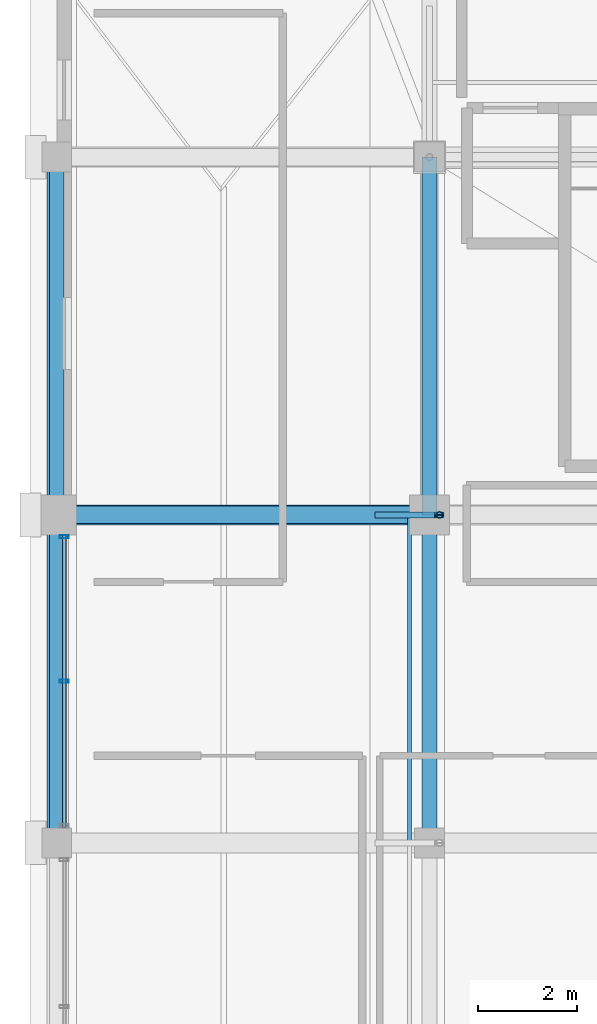
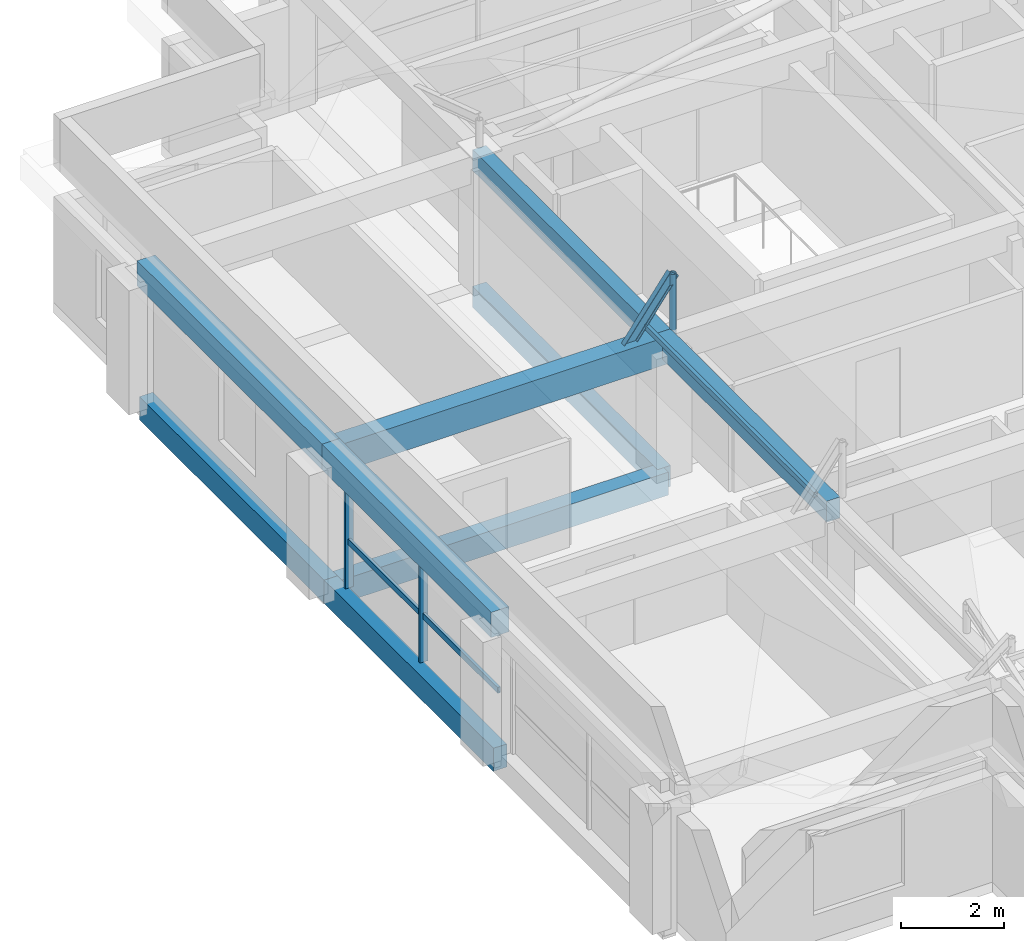
# One storey, part 9 of 39: 9 beams, 7 members, 1 element without a shape of its own.
"""IFC4 building model written with IfcOpenShell, lengths in metres."""

from ifc_helpers import new_model, si_unit, direction, frame, origin, origin_2d, place, context, subcontext, project, spatial, rectangle, hollow_rectangle, hollow_circle, i_section, extrude, material, material_profile, profile_set, type_object, element, aggregate, save


model = new_model("IFC4")

# Units and contexts
model_context = context("Model", 3, precision=1e-05, world=origin(), true_north=direction((0.0, 1.0)))
body_context = subcontext(model_context, "Body", "Model", "MODEL_VIEW")
ifc_project = project(units=[si_unit("LENGTHUNIT", "METRE"), si_unit("AREAUNIT", "SQUARE_METRE"), si_unit("VOLUMEUNIT", "CUBIC_METRE"), si_unit("PLANEANGLEUNIT", "RADIAN"), si_unit("MASSUNIT", "GRAM", prefix="KILO")], contexts=[model_context])

# Site, building, storey
site_placement = place(None, origin())
site = spatial("IfcSite", under=ifc_project, at=site_placement, CompositionType="ELEMENT")
building_placement = place(site_placement, origin())
building = spatial("IfcBuilding", under=site, at=building_placement, Name="Akrevak Sports Hall", CompositionType="ELEMENT")
storey_placement = place(building_placement, frame((0.0, 0.0, 66.550048828125)))
storey = spatial("IfcBuildingStorey", under=building, at=storey_placement, Name="L17", CompositionType="ELEMENT", Elevation=66.550048828125)

# Curtain wall, members
ifc_material_1 = material(Name="Anodized Bronze Aluminium & Low-E Glass", Category="aluminium")
curtain_wall_type = type_object("IfcCurtainWallType", Name="ARC-CW-TWR-68x30", PredefinedType="NOTDEFINED", material=ifc_material_1)
curtain_wall_placement = place(storey_placement, origin())
curtain_wall = element("IfcCurtainWall", 1, at=curtain_wall_placement, inside=storey, type_object=curtain_wall_type, Name="Curtain Wall CW-L17-W28", PredefinedType="NOTDEFINED")
ifc_material_2 = material(Name="Anodized Bronze Aluminium", Category="aluminium")
ifc_material_profile_1 = material_profile(ifc_material_2, hollow_rectangle(XDim=0.06494140625, YDim=0.179931640625, WallThickness=0.00390625, at=origin_2d()), Name="CWM 65x180", Category="aluminium")
ifc_profile_set_1 = profile_set([ifc_material_profile_1], Name="Anodized Bronze Aluminium")
member_type_1 = type_object("IfcMemberType", Name="ARC-CWM-65x140", PredefinedType="MULLION", material=ifc_profile_set_1)
member_1_placement = place(storey_placement, frame((52.64990234375, 54.760009765625, 0.0), z_axis=(0.0, 0.0, 1.0), x_axis=(0.0, -1.0, 0.0)))
member_1 = element("IfcMember", 2, at=member_1_placement, type_object=member_type_1, Name="Curtain Wall Mullion CW-L17-W28-M1", PredefinedType="MULLION", context=body_context, shape_type="SweptSolid", body=[
    extrude(hollow_rectangle(XDim=0.06494140625, YDim=0.179931640625, WallThickness=0.00390625, at=origin_2d()), origin(), (0.0, 0.0, 1.0), 2.530029296875),
])
member_2_placement = place(storey_placement, frame((52.64990234375, 51.85009765625, 0.0), z_axis=(0.0, 0.0, 1.0), x_axis=(0.0, -1.0, 0.0)))
member_2 = element("IfcMember", 3, at=member_2_placement, type_object=member_type_1, Name="Curtain Wall Mullion CW-L17-W28-M2", PredefinedType="MULLION", context=body_context, shape_type="SweptSolid", body=[
    extrude(hollow_rectangle(XDim=0.06494140625, YDim=0.179931640625, WallThickness=0.00390625, at=origin_2d()), origin(), (0.0, 0.0, 1.0), 2.530029296875),
])
ifc_material_profile_2 = material_profile(ifc_material_2, hollow_rectangle(XDim=0.06494140625, YDim=0.139892578125, WallThickness=0.00390625, at=origin_2d()), Name="CWT 65x140", Category="aluminium")
ifc_profile_set_2 = profile_set([ifc_material_profile_2], Name="Anodized Bronze Aluminium")
member_type_2 = type_object("IfcMemberType", Name="ARC-CWT-65x110", PredefinedType="USERDEFINED", material=ifc_profile_set_2)
member_3_placement = place(storey_placement, frame((52.64990234375, 54.800048828125, 1.099853515625), z_axis=(0.0, -1.0, 0.0), x_axis=(1.0, 0.0, 0.0)))
member_3 = element("IfcMember", 4, at=member_3_placement, type_object=member_type_2, Name="Curtain Wall Transom CW-L17-W28-T1", ObjectType="TRANSOM", PredefinedType="USERDEFINED", context=body_context, shape_type="SweptSolid", body=[
    extrude(hollow_rectangle(XDim=0.06494140625, YDim=0.139892578125, WallThickness=0.00390625, at=origin_2d()), origin(), (0.0, 0.0, 1.0), 5.900146484375),
])
member_4_placement = place(storey_placement, frame((52.64990234375, 54.800048828125, 2.449951171875), z_axis=(0.0, -1.0, 0.0), x_axis=(1.0, 0.0, 0.0)))
member_4 = element("IfcMember", 5, at=member_4_placement, type_object=member_type_2, Name="Curtain Wall Transom CW-L17-W28-T2", ObjectType="TRANSOM", PredefinedType="USERDEFINED", context=body_context, shape_type="SweptSolid", body=[
    extrude(hollow_rectangle(XDim=0.06494140625, YDim=0.139892578125, WallThickness=0.00390625, at=origin_2d()), origin(), (0.0, 0.0, 1.0), 5.900146484375),
])
aggregate(curtain_wall, [member_1, member_2, member_3, member_4])

# Beams
ifc_material_3 = material(Name="Concrete C40/50", Category="concrete")
ifc_material_profile_3 = material_profile(ifc_material_3, rectangle(XDim=0.300048828125, YDim=0.5, at=origin_2d()), Name="BM 300x500", Category="concrete")
ifc_profile_set_3 = profile_set([ifc_material_profile_3], Name="Concrete C40/50")
beam_type_1 = type_object("IfcBeamType", Name="STR-BM-RC300x500", PredefinedType="BEAM", material=ifc_profile_set_3)
beam_1_placement = place(storey_placement, frame((60.0, 55.199951171875, -0.25), z_axis=(0.0, 1.0, 0.0), x_axis=(-1.0, 0.0, 0.0)))
element("IfcBeam", 6, at=beam_1_placement, inside=storey, type_object=beam_type_1, Name="Girder 9/I-J (L17)", PredefinedType="BEAM", context=body_context, shape_type="SweptSolid", body=[
    extrude(rectangle(XDim=0.300048828125, YDim=0.5, at=origin_2d()), origin(), (0.0, 0.0, 1.0), 7.199951171875),
])
beam_2_placement = place(storey_placement, frame((60.0, 48.60009765625, 3.0), z_axis=(0.0, 1.0, 0.0), x_axis=(-1.0, 0.0, 0.0)))
element("IfcBeam", 7, at=beam_2_placement, inside=storey, type_object=beam_type_1, Name="Girder 9/H-I (ROOF)", PredefinedType="BEAM", context=body_context, shape_type="SweptSolid", body=[
    extrude(rectangle(XDim=0.300048828125, YDim=0.5, at=origin_2d()), origin(), (0.0, 0.0, 1.0), 6.599853515625),
])
beam_3_placement = place(storey_placement, frame((60.0, 55.199951171875, 3.0), z_axis=(0.0, 1.0, 0.0), x_axis=(-1.0, 0.0, 0.0)))
element("IfcBeam", 8, at=beam_3_placement, inside=storey, type_object=beam_type_1, Name="Girder 9/I-J (ROOF)", PredefinedType="BEAM", context=body_context, shape_type="SweptSolid", body=[
    extrude(rectangle(XDim=0.300048828125, YDim=0.5, at=origin_2d()), origin(), (0.0, 0.0, 1.0), 7.199951171875),
])
ifc_material_profile_4 = material_profile(ifc_material_3, rectangle(XDim=0.300048828125, YDim=0.550048828125, at=origin_2d()), Name="BM 300x550", Category="concrete")
ifc_profile_set_4 = profile_set([ifc_material_profile_4], Name="Concrete C40/50")
beam_type_2 = type_object("IfcBeamType", Name="STR-BM-RC300x550", PredefinedType="BEAM", material=ifc_profile_set_4)
beam_4_placement = place(storey_placement, frame((52.5, 48.60009765625, -0.275146484375), z_axis=(0.0, 1.0, 0.0), x_axis=(-1.0, 0.0, 0.0)))
element("IfcBeam", 9, at=beam_4_placement, inside=storey, type_object=beam_type_2, Name="Girder 8/H-I (L17)", PredefinedType="BEAM", context=body_context, shape_type="SweptSolid", body=[
    extrude(rectangle(XDim=0.300048828125, YDim=0.550048828125, at=origin_2d()), origin(), (0.0, 0.0, 1.0), 6.599853515625),
])
beam_5_placement = place(storey_placement, frame((52.5, 55.199951171875, -0.275146484375), z_axis=(0.0, 1.0, 0.0), x_axis=(-1.0, 0.0, 0.0)))
element("IfcBeam", 10, at=beam_5_placement, inside=storey, type_object=beam_type_2, Name="Girder 8/I-J (L17)", PredefinedType="BEAM", context=body_context, shape_type="SweptSolid", body=[
    extrude(rectangle(XDim=0.300048828125, YDim=0.550048828125, at=origin_2d()), origin(), (0.0, 0.0, 1.0), 7.199951171875),
])
ifc_material_profile_5 = material_profile(ifc_material_3, rectangle(XDim=0.35009765625, YDim=0.550048828125, at=origin_2d()), Name="BM 350x550", Category="concrete")
ifc_profile_set_5 = profile_set([ifc_material_profile_5], Name="Concrete C40/50")
beam_type_3 = type_object("IfcBeamType", Name="STR-BM-RC350x550", PredefinedType="BEAM", material=ifc_profile_set_5)
beam_6_placement = place(storey_placement, frame((52.5, 55.199951171875, -0.275146484375), z_axis=(1.0, 0.0, 0.0), x_axis=(0.0, 1.0, 0.0)))
element("IfcBeam", 11, at=beam_6_placement, inside=storey, type_object=beam_type_3, Name="Girder I/8-9 (L17)", PredefinedType="BEAM", context=body_context, shape_type="SweptSolid", body=[
    extrude(rectangle(XDim=0.35009765625, YDim=0.550048828125, at=origin_2d()), origin(), (0.0, 0.0, 1.0), 7.5),
])
ifc_material_profile_6 = material_profile(ifc_material_3, rectangle(XDim=0.39990234375, YDim=0.60009765625, at=origin_2d()), Name="BM 400x600", Category="concrete")
ifc_profile_set_6 = profile_set([ifc_material_profile_6], Name="Concrete C40/50")
beam_type_4 = type_object("IfcBeamType", Name="STR-BM-RC400x600", PredefinedType="BEAM", material=ifc_profile_set_6)
beam_7_placement = place(storey_placement, frame((52.5, 48.60009765625, 2.949951171875), z_axis=(0.0, 1.0, 0.0), x_axis=(-1.0, 0.0, 0.0)))
element("IfcBeam", 12, at=beam_7_placement, inside=storey, type_object=beam_type_4, Name="Girder 8/H-I (ROOF)", PredefinedType="BEAM", context=body_context, shape_type="SweptSolid", body=[
    extrude(rectangle(XDim=0.39990234375, YDim=0.60009765625, at=origin_2d()), origin(), (0.0, 0.0, 1.0), 6.599853515625),
])
beam_8_placement = place(storey_placement, frame((52.5, 55.199951171875, 2.949951171875), z_axis=(0.0, 1.0, 0.0), x_axis=(-1.0, 0.0, 0.0)))
element("IfcBeam", 13, at=beam_8_placement, inside=storey, type_object=beam_type_4, Name="Girder 8/I-J (ROOF)", PredefinedType="BEAM", context=body_context, shape_type="SweptSolid", body=[
    extrude(rectangle(XDim=0.39990234375, YDim=0.60009765625, at=origin_2d()), origin(), (0.0, 0.0, 1.0), 7.199951171875),
])
ifc_material_profile_7 = material_profile(ifc_material_3, rectangle(XDim=0.39990234375, YDim=0.64990234375, at=origin_2d()), Name="BM 400x650", Category="concrete")
ifc_profile_set_7 = profile_set([ifc_material_profile_7], Name="Concrete C40/50")
beam_type_5 = type_object("IfcBeamType", Name="STR-BM-RC400x650", PredefinedType="BEAM", material=ifc_profile_set_7)
beam_9_placement = place(storey_placement, frame((52.5, 55.199951171875, 2.925048828125), z_axis=(1.0, 0.0, 0.0), x_axis=(0.0, 1.0, 0.0)))
element("IfcBeam", 14, at=beam_9_placement, inside=storey, type_object=beam_type_5, Name="Girder I/8-9 (ROOF)", PredefinedType="BEAM", context=body_context, shape_type="SweptSolid", body=[
    extrude(rectangle(XDim=0.39990234375, YDim=0.64990234375, at=origin_2d()), origin(), (0.0, 0.0, 1.0), 7.5),
])

# Members
ifc_material_4 = material(Name="Steel S355", Category="steel")
ifc_material_profile_8 = material_profile(ifc_material_4, hollow_circle(Radius=0.06982421875, WallThickness=0.008056640625, at=origin_2d()), Name="CHS 139.7x8", Category="steel")
ifc_profile_set_8 = profile_set([ifc_material_profile_8], Name="Steel S355")
member_type_3 = type_object("IfcMemberType", Name="STR-MEM-BRACE-CHS139", PredefinedType="BRACE", material=ifc_profile_set_8)
member_5_placement = place(storey_placement, frame((60.199951171875, 55.199951171875, 2.949951171875), z_axis=(0.0, 0.0, 1.0), x_axis=(1.0, 0.0, 0.0)))
element("IfcMember", 15, at=member_5_placement, inside=storey, type_object=member_type_3, Name="Mansard Knee Post MANS-W-W-55", PredefinedType="BRACE", context=body_context, shape_type="SweptSolid", body=[
    extrude(hollow_circle(Radius=0.06982421875, WallThickness=0.008056640625, at=origin_2d()), origin(), (0.0, 0.0, 1.0), 1.6201171875),
])
ifc_material_profile_9 = material_profile(ifc_material_4, hollow_rectangle(XDim=0.080078125, YDim=0.1201171875, WallThickness=0.00634765625, at=origin_2d()), Name="RHS 120x80x6.3", Category="steel")
ifc_profile_set_9 = profile_set([ifc_material_profile_9], Name="Steel S355")
member_type_4 = type_object("IfcMemberType", Name="STR-MEM-PUR-RHS120", PredefinedType="PURLIN", material=ifc_profile_set_9)
member_6_placement = place(storey_placement, frame((59.60009765625, 48.60009765625, 3.5), z_axis=(0.0, 1.0, 0.0), x_axis=(-1.0, 0.0, 0.0)))
element("IfcMember", 16, at=member_6_placement, inside=storey, type_object=member_type_4, Name="Mansard Steel Purlin MANS-W-W-B", PredefinedType="PURLIN", context=body_context, shape_type="SweptSolid", body=[
    extrude(hollow_rectangle(XDim=0.080078125, YDim=0.1201171875, WallThickness=0.00634765625, at=origin_2d()), origin(), (0.0, 0.0, 1.0), 6.599853515625),
])
ifc_material_profile_10 = material_profile(ifc_material_4, i_section(OverallWidth=0.1201171875, OverallDepth=0.239990234375, WebThickness=0.006103515625, FlangeThickness=0.009765625, FilletRadius=0.014892578125, at=origin_2d()), Name="IPE 240", Category="steel")
ifc_profile_set_10 = profile_set([ifc_material_profile_10], Name="Steel S355")
member_type_5 = type_object("IfcMemberType", Name="STR-MEM-RAF-IPE240", PredefinedType="RAFTER", material=ifc_profile_set_10)
member_7_placement = place(storey_placement, frame((59.0, 55.199951171875, 2.949951171875), z_axis=(0.595184109849, 0.0, 0.803589369879), x_axis=(0.0, 1.0, 0.0)))
element("IfcMember", 17, at=member_7_placement, inside=storey, type_object=member_type_5, Name="Mansard Steel Rafter MANS-W-W-55", PredefinedType="RAFTER", context=body_context, shape_type="SweptSolid", body=[
    extrude(i_section(OverallWidth=0.1201171875, OverallDepth=0.239990234375, WebThickness=0.006103515625, FlangeThickness=0.009765625, FilletRadius=0.014892578125, at=origin_2d()), origin(), (0.0, 0.0, 1.0), 2.01611328125),
])

save(model, "model.ifc")
